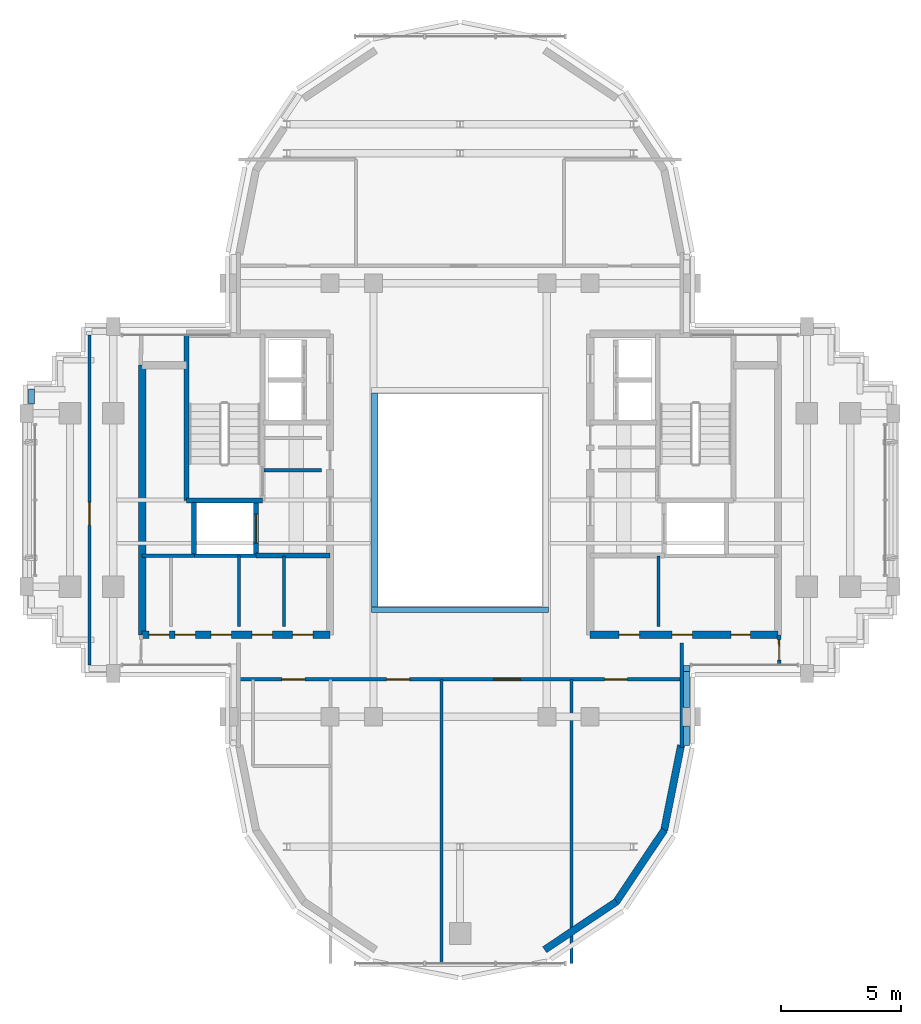
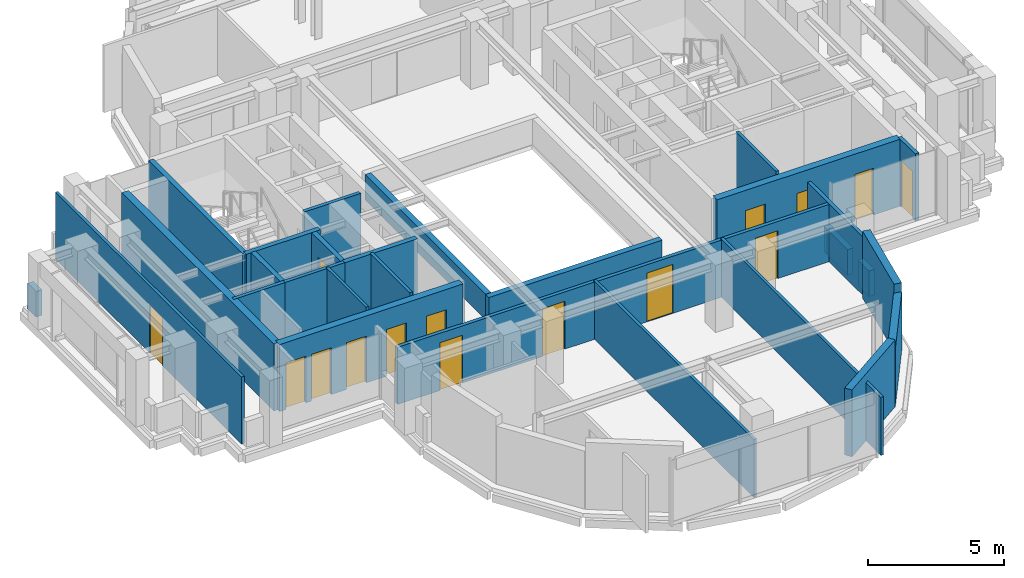
# One storey, part 8 of 12: 29 walls, 15 doors, 15 openings.
"""IFC4 building model written with IfcOpenShell, lengths in metres."""

import ifcopenshell
import ifcopenshell.guid

model = None  # the IFC model being written
_history = None  # IfcOwnerHistory: only IFC2X3 demands one
_inside = {}  # id of a spatial element -> (the spatial element, [elements in it])
_under = {}  # id of a project, library or spatial element -> (it, [spatial elements below it])
_declared = {}  # id of a project -> (the project, [libraries it declares])
_typed = {}  # id of a type object -> (the type object, [elements of that type])
_made_of = {}  # id of a material, layer set ... -> (it, [elements and type objects made of it])


def new_model(schema):
    """Start an empty IFC model of exactly this schema.

    Asked for "IFC4X3", IfcOpenShell would pick the latest addendum, in which some entities
    have other attributes; the version numbers below select the first issue.
    IFC2X3 requires an IfcOwnerHistory on every rooted entity: one is made here for all.
    """
    global model, _history
    if schema == "IFC4X3":
        model = ifcopenshell.file(schema_version=(4, 3, 0, 0))
    else:
        model = ifcopenshell.file(schema=schema)
    _inside.clear()
    _under.clear()
    _declared.clear()
    _typed.clear()
    _made_of.clear()
    _history = None
    if model.schema == "IFC2X3":
        org = make("IfcOrganization", Name="unknown")
        user = make(
            "IfcPersonAndOrganization",
            ThePerson=make("IfcPerson", FamilyName="unknown"),
            TheOrganization=org,
        )
        app = make(
            "IfcApplication",
            ApplicationDeveloper=org,
            Version="unknown",
            ApplicationFullName="unknown",
            ApplicationIdentifier="unknown",
        )
        _history = make(
            "IfcOwnerHistory",
            OwningUser=user,
            OwningApplication=app,
            ChangeAction="ADDED",
            CreationDate=0,
        )
    return model


def make(cls, **values):
    """One entity of the class cls with the attributes given. An attribute that is None is left unset."""
    return model.create_entity(
        cls, **{name: value for name, value in values.items() if value is not None}
    )


def rooted(cls, **values):
    """An entity with a GlobalId (a new one), such as an element, a storey or a relation."""
    return make(cls, GlobalId=ifcopenshell.guid.new(), OwnerHistory=_history, **values)


def si_unit(unit_type, name, prefix=None):
    """IfcSIUnit, for example si_unit("LENGTHUNIT", "METRE", prefix="MILLI")."""
    return make("IfcSIUnit", UnitType=unit_type, Prefix=prefix, Name=name)


def assignment(units):
    """IfcUnitAssignment: the units of a project."""
    return None if units is None else make("IfcUnitAssignment", Units=units)


def point(xyz):
    """IfcCartesianPoint."""
    return None if xyz is None else make("IfcCartesianPoint", Coordinates=xyz)


def direction(xyz):
    """IfcDirection."""
    return None if xyz is None else make("IfcDirection", DirectionRatios=xyz)


def frame(location, z_axis=None, x_axis=None):
    """IfcAxis2Placement3D, a coordinate frame: its origin and axes. An axis left out is left unset."""
    return make(
        "IfcAxis2Placement3D",
        Location=point(location),
        Axis=direction(z_axis),
        RefDirection=direction(x_axis),
    )


def frame_2d(location, x_axis=None):
    """IfcAxis2Placement2D, a coordinate frame in the plane: its origin and x axis."""
    return make(
        "IfcAxis2Placement2D", Location=point(location), RefDirection=direction(x_axis)
    )


def origin():
    """The frame at (0, 0, 0) with its axes left unset."""
    return frame((0.0, 0.0, 0.0))


def place(relative_to, where):
    """IfcLocalPlacement: puts the frame where relative to a parent placement (None: the world)."""
    return make(
        "IfcLocalPlacement", PlacementRelTo=relative_to, RelativePlacement=where
    )


def context(
    kind, dimensions, precision=None, world=None, true_north=None, identifier=None
):
    """IfcGeometricRepresentationContext, for example the 3D "Model" context."""
    return make(
        "IfcGeometricRepresentationContext",
        ContextIdentifier=identifier,
        ContextType=kind,
        CoordinateSpaceDimension=dimensions,
        Precision=precision,
        WorldCoordinateSystem=world,
        TrueNorth=true_north,
    )


def subcontext(parent, identifier, kind, view, scale=None):
    """IfcGeometricRepresentationSubContext, for example "Body" below "Model"."""
    return make(
        "IfcGeometricRepresentationSubContext",
        ContextIdentifier=identifier,
        ContextType=kind,
        ParentContext=parent,
        TargetScale=scale,
        TargetView=view,
    )


def project(units=None, contexts=None):
    """IfcProject with its units and contexts."""
    return rooted(
        "IfcProject",
        Name="project",
        RepresentationContexts=contexts,
        UnitsInContext=assignment(units),
    )


def spatial(cls, under=None, at=None, **own):
    """A site, building, storey or space (cls), placed at a placement, below another one or the project."""
    s = rooted(cls, ObjectPlacement=at, **own)
    if under is not None:
        _under.setdefault(under.id(), (under, []))[1].append(s)
    return s


def profile(cls, at=None, kind="AREA", **sizes):
    """A parametric profile (cls). Its sizes go by their IFC names, for example OverallWidth=200.0."""
    return make(cls, ProfileType=kind, Position=at, **sizes)


def rectangle(**sizes):
    """IfcRectangleProfileDef."""
    return profile("IfcRectangleProfileDef", **sizes)


def extrude(swept, where, along, depth):
    """IfcExtrudedAreaSolid: the profile swept, set in the frame where, extruded along a direction by depth."""
    return make(
        "IfcExtrudedAreaSolid",
        SweptArea=swept,
        Position=where,
        ExtrudedDirection=direction(along),
        Depth=depth,
    )


def shape(context_of_items, identifier, shape_type, items):
    """IfcShapeRepresentation: the items that make up one representation, for example the "Body"."""
    return make(
        "IfcShapeRepresentation",
        ContextOfItems=context_of_items,
        RepresentationIdentifier=identifier,
        RepresentationType=shape_type,
        Items=items,
    )


def source(mapping_origin, context_of_items, identifier, shape_type, items):
    """IfcRepresentationMap: a shape defined once, which mapped items show again and again."""
    return make(
        "IfcRepresentationMap",
        MappingOrigin=mapping_origin,
        MappedRepresentation=shape(context_of_items, identifier, shape_type, items),
    )


def transform(
    local_origin,
    x_axis=None,
    y_axis=None,
    z_axis=None,
    scale=None,
    scale2=None,
    scale3=None,
    uniform=True,
):
    """IfcCartesianTransformationOperator3D, or its non-uniform kind. x_axis, y_axis, z_axis: its Axis1, 2, 3."""
    if uniform:
        return make(
            "IfcCartesianTransformationOperator3D",
            Axis1=direction(x_axis),
            Axis2=direction(y_axis),
            LocalOrigin=point(local_origin),
            Scale=scale,
            Axis3=direction(z_axis),
        )
    return make(
        "IfcCartesianTransformationOperator3DnonUniform",
        Axis1=direction(x_axis),
        Axis2=direction(y_axis),
        LocalOrigin=point(local_origin),
        Scale=scale,
        Axis3=direction(z_axis),
        Scale2=scale2,
        Scale3=scale3,
    )


def mapped(mapping_source, mapping_target):
    """IfcMappedItem: shows the shape of a source again, moved by a transform."""
    return make(
        "IfcMappedItem", MappingSource=mapping_source, MappingTarget=mapping_target
    )


def material(Name=None, Category=None):
    """IfcMaterial."""
    return make("IfcMaterial", Name=Name, Category=Category)


def layer(
    of_material, thickness, ventilated=None, Name=None, Category=None, Priority=None
):
    """IfcMaterialLayer: one layer of a wall or slab, of a material (None: an air gap)."""
    return make(
        "IfcMaterialLayer",
        Material=of_material,
        LayerThickness=thickness,
        IsVentilated=ventilated,
        Name=Name,
        Category=Category,
        Priority=Priority,
    )


def layer_set(layers, Name=None):
    """IfcMaterialLayerSet."""
    return make("IfcMaterialLayerSet", MaterialLayers=layers, LayerSetName=Name)


def made_of(thing, what):
    """Note that an element or type object is made of a material, layer set ...; save() writes the relation."""
    if what is not None:
        _made_of.setdefault(what.id(), (what, []))[1].append(thing)
    return thing


def type_object(cls, material=None, **own):
    """A type object (cls), such as IfcWallType, which elements share."""
    return made_of(rooted(cls, **own), material)


def element(
    cls,
    number,
    at=None,
    inside=None,
    cuts=None,
    type_object=None,
    material=None,
    context=None,
    identifier="Body",
    shape_type=None,
    held_by="IfcProductDefinitionShape",
    body=None,
    shapes=None,
    **own,
):
    """One element of the class cls, such as IfcWall. Its Tag is "e" and its number.

    at: its placement. inside: the storey or other place that contains it. cuts: it is an
    opening in that element (IfcRelVoidsElement). A single representation is given by context,
    identifier, shape_type and body (its items); several are given by shapes. held_by: the class
    of the entity that holds the representations. save() writes the other relations.
    """
    e = rooted(cls, Tag="e%d" % number, ObjectPlacement=at, **own)
    if body is not None:
        shapes = [shape(context, identifier, shape_type, body)]
    if shapes is not None:
        e.Representation = make(held_by, Representations=shapes)
    if inside is not None:
        _inside.setdefault(inside.id(), (inside, []))[1].append(e)
    if cuts is not None:
        rooted(
            "IfcRelVoidsElement", RelatingBuildingElement=cuts, RelatedOpeningElement=e
        )
    if type_object is not None:
        _typed.setdefault(type_object.id(), (type_object, []))[1].append(e)
    return made_of(e, material)


def fill(opening, filler):
    """IfcRelFillsElement: the door or window that sits in an opening."""
    return rooted(
        "IfcRelFillsElement",
        RelatingOpeningElement=opening,
        RelatedBuildingElement=filler,
    )


def aggregate(whole, parts):
    """IfcRelAggregates: a whole, such as a stair, and the parts it consists of."""
    return rooted("IfcRelAggregates", RelatingObject=whole, RelatedObjects=parts)


def save(model, path):
    """Write the relations noted so far, then the file.

    IfcRelAggregates (storeys below a building ...), IfcRelContainedInSpatialStructure (elements
    in a storey), IfcRelDefinesByType, IfcRelAssociatesMaterial and IfcRelDeclares: one each for
    every whole, place, type object, material and project.
    """
    for whole, parts in _under.values():
        aggregate(whole, parts)
    for where, things in _inside.values():
        rooted(
            "IfcRelContainedInSpatialStructure",
            RelatedElements=things,
            RelatingStructure=where,
        )
    for kind, things in _typed.values():
        rooted("IfcRelDefinesByType", RelatedObjects=things, RelatingType=kind)
    for what, things in _made_of.values():
        rooted("IfcRelAssociatesMaterial", RelatedObjects=things, RelatingMaterial=what)
    for by, libraries in _declared.values():
        rooted("IfcRelDeclares", RelatingContext=by, RelatedDefinitions=libraries)
    model.write(path)


model = new_model("IFC4")

# Units and contexts
model_context = context("Model", 3, precision=1e-05, world=origin(), true_north=direction((0.0, 1.0)))
body_context = subcontext(model_context, "Body", "Model", "MODEL_VIEW")
ifc_project = project(units=[si_unit("LENGTHUNIT", "METRE"), si_unit("AREAUNIT", "SQUARE_METRE"), si_unit("VOLUMEUNIT", "CUBIC_METRE"), si_unit("PLANEANGLEUNIT", "RADIAN"), si_unit("MASSUNIT", "GRAM", prefix="KILO")], contexts=[model_context])

# Site, building, storey
site_placement = place(None, origin())
site = spatial("IfcSite", under=ifc_project, at=site_placement, CompositionType="ELEMENT")
building_placement = place(site_placement, origin())
building = spatial("IfcBuilding", under=site, at=building_placement, Name="Keilestroom Media Tower", CompositionType="ELEMENT")
storey_placement = place(building_placement, frame((0.0, 0.0, 226.800048828125)))
storey = spatial("IfcBuildingStorey", under=building, at=storey_placement, Name="L62", CompositionType="ELEMENT", Elevation=226.800048828125)

# Walls
ifc_material_1 = material(Name="Precast concrete C40/50", Category="concrete")
ifc_layer_1 = layer(ifc_material_1, 0.300048828125)
ifc_layer_set_1 = layer_set([ifc_layer_1], Name="Precast concrete C40/50")
wall_type_1 = type_object("IfcWallType", Name="Exterior-Masonry-Spandrel-Wall-300", PredefinedType="SOLIDWALL", material=ifc_layer_set_1)
wall_1_placement = place(storey_placement, frame((3.510009765625, -18.673583984375, 0.0), z_axis=(0.0, 0.0, 1.0), x_axis=(0.831443568068, 0.555609208993, 0.0)))
element("IfcWall", 1, at=wall_1_placement, inside=storey, type_object=wall_type_1, Name="L62 Lobe Facet Precast Frame Wall 10", PredefinedType="SOLIDWALL", context=body_context, shape_type="SweptSolid", body=[
    extrude(rectangle(XDim=3.593505859375, YDim=0.300048828125, at=frame_2d((1.796875, 0.0))), origin(), (0.0, 0.0, 1.0), 3.010009765625),
])
wall_2_placement = place(storey_placement, frame((6.47705078125, -16.697998046875, 0.0), z_axis=(0.0, 0.0, 1.0), x_axis=(0.555574187116, 0.831466970246, 0.0)))
element("IfcWall", 2, at=wall_2_placement, inside=storey, type_object=wall_type_1, Name="L62 Lobe Facet Precast Frame Wall 11", PredefinedType="SOLIDWALL", context=body_context, shape_type="SweptSolid", body=[
    extrude(rectangle(XDim=3.608642578125, YDim=0.300048828125, at=frame_2d((1.80419921875, 0.0))), origin(), (0.0, 0.0, 1.0), 2.60986328125),
])
wall_3_placement = place(storey_placement, frame((8.470703125, -13.724609375, 0.0), z_axis=(0.0, 0.0, 1.0), x_axis=(0.195114232679, 0.980780523974, 0.0)))
element("IfcWall", 3, at=wall_3_placement, inside=storey, type_object=wall_type_1, Name="L62 Lobe Facet Precast Frame Wall 12", PredefinedType="SOLIDWALL", context=body_context, shape_type="SweptSolid", body=[
    extrude(rectangle(XDim=3.608642578125, YDim=0.300048828125, at=frame_2d((1.80419921875, 0.0))), origin(), (0.0, 0.0, 1.0), 3.010009765625),
])
ifc_material_2 = material(Name="Gypsum Plasterboard & Steel Stud", Category="steel")
ifc_layer_2 = layer(ifc_material_2, 0.1201171875)
ifc_layer_set_2 = layer_set([ifc_layer_2], Name="Gypsum Plasterboard & Steel Stud")
wall_type_2 = type_object("IfcWallType", Name="Interior-Partition-Wall-120", PredefinedType="PARTITIONING", material=ifc_layer_set_2)
for number, where, z_axis, x_axis, name in (
    (4, (-9.179931640625, -5.260009765625, 0.0), (0.0, 0.0, 1.0), (0.0, 1.0, 0.0), "L62 Interior Wall WP-L62-RECMW-M1"),
    (5, (-7.320068359375, -5.260009765625, 0.0), (0.0, 0.0, 1.0), (0.0, 1.0, 0.0), "L62 Interior Wall WP-L62-RECMW-M2"),
    (6, (8.239990234375, -5.260009765625, 0.0), (0.0, 0.0, 1.0), (0.0, 1.0, 0.0), "L62 Interior Wall WP-L62-RECME-M"),
):
    element("IfcWall", number, at=place(storey_placement, frame(where, z_axis=z_axis, x_axis=x_axis)), inside=storey, type_object=wall_type_2, Name=name, PredefinedType="PARTITIONING", context=body_context, shape_type="SweptSolid", body=[
        extrude(rectangle(XDim=2.93994140625, YDim=0.1201171875, at=frame_2d((1.469970703125, 0.0))), origin(), (0.0, 0.0, 1.0), 3.010009765625),
    ])
for number, where, z_axis, x_axis, name in (
    (7, (-0.780029296875, -19.25, 0.0), (0.0, 0.0, 1.0), (0.0, 1.0, 0.0), "L62 Interior Wall WP-L62-SL-QV2"),
    (8, (4.6201171875, -19.25, 0.0), (0.0, 0.0, 1.0), (0.0, 1.0, 0.0), "L62 Interior Wall WP-L62-SL-QV3"),
):
    element("IfcWall", number, at=place(storey_placement, frame(where, z_axis=z_axis, x_axis=x_axis)), inside=storey, type_object=wall_type_2, Name=name, PredefinedType="PARTITIONING", context=body_context, shape_type="SweptSolid", body=[
        extrude(rectangle(XDim=11.800048828125, YDim=0.1201171875, at=frame_2d((5.89990234375, 0.0))), origin(), (0.0, 0.0, 1.0), 2.60986328125),
    ])

# Wall, opening, door
wall_4_placement = place(storey_placement, frame((-15.389892578125, -6.85009765625, 0.0), z_axis=(0.0, 0.0, 1.0), x_axis=(0.0, 1.0, 0.0)))
wall_4 = element("IfcWall", 9, at=wall_4_placement, inside=storey, type_object=wall_type_2, Name="L62 Interior Wall WP-L62-WA-V", PredefinedType="PARTITIONING", context=body_context, shape_type="SweptSolid", body=[
    extrude(rectangle(XDim=13.7001953125, YDim=0.1201171875, at=frame_2d((6.85009765625, 0.0))), origin(), (0.0, 0.0, 1.0), 3.010009765625),
])
opening_1_placement = place(wall_4_placement, frame((5.800048828125, 0.0, 0.0)))
opening_1 = element("IfcOpeningElement", 10, at=opening_1_placement, cuts=wall_4, Name="Opening DI-03", PredefinedType="OPENING", context=body_context, shape_type="SweptSolid", body=[
    extrude(rectangle(XDim=0.949951171875, YDim=2.14990234375, at=frame_2d((0.47509765625, 1.074951171875))), frame((0.0, 0.070068359375, 0.0), z_axis=(0.0, -1.0, 0.0), x_axis=(1.0, 0.0, 0.0)), (0.0, 0.0, 1.0), 0.14013671875),
])
ifc_material_3 = material(Name="Lacquered European Oak Leaf", Category="wood")
door_type_1 = type_object("IfcDoorType", Name="Interior-Room-And-Suite-Door-DI-03", OperationType="NOTDEFINED", PredefinedType="DOOR", material=ifc_material_3)
shared_shape_1 = source(origin(), body_context, "Body", "SweptSolid", [
    extrude(rectangle(XDim=0.949951171875, YDim=2.14990234375, at=frame_2d((0.47509765625, 1.074951171875))), frame((0.0, 0.02490234375, 0.0), z_axis=(0.0, -1.0, 0.0), x_axis=(1.0, 0.0, 0.0)), (0.0, 0.0, 1.0), 0.050048828125),
])
door_1_placement = place(opening_1_placement, origin())
door_1 = element("IfcDoor", 11, at=door_1_placement, inside=storey, type_object=door_type_1, Name="L62 Interior Door DI-L62-DWA-W", OperationType="SINGLE_SWING_RIGHT", OverallHeight=2.14990234375, OverallWidth=0.949951171875, PredefinedType="DOOR", context=body_context, shape_type="MappedRepresentation", body=[
    mapped(shared_shape_1, transform((0.0, 0.0, 0.0), x_axis=(1.0, 0.0, 0.0), y_axis=(0.0, 1.0, 0.0), z_axis=(0.0, 0.0, 1.0), scale=1.0)),
])
fill(opening_1, door_1)

# Walls
ifc_layer_3 = layer(ifc_material_2, 0.14990234375)
ifc_layer_set_3 = layer_set([ifc_layer_3], Name="Gypsum Plasterboard & Steel Stud")
wall_type_3 = type_object("IfcWallType", Name="Interior-Partition-Wall-150", PredefinedType="PARTITIONING", material=ifc_layer_set_3)
wall_5_placement = place(storey_placement, frame((-8.139892578125, 1.239990234375, 0.0), z_axis=(0.0, 0.0, 1.0), x_axis=(1.0, 0.0, 0.0)))
element("IfcWall", 12, at=wall_5_placement, inside=storey, type_object=wall_type_3, Name="L62 Interior Wall WP-L62-FFW-TOP", PredefinedType="PARTITIONING", context=body_context, shape_type="SweptSolid", body=[
    extrude(rectangle(XDim=2.389892578125, YDim=0.14990234375, at=frame_2d((1.19482421875, 0.0))), origin(), (0.0, 0.0, 1.0), 3.010009765625),
])
wall_6_placement = place(storey_placement, frame((-13.199951171875, -2.320068359375, 0.0), z_axis=(0.0, 0.0, 1.0), x_axis=(1.0, 0.0, 0.0)))
element("IfcWall", 13, at=wall_6_placement, inside=storey, type_object=wall_type_3, Name="L62 Interior Wall WP-L62-RECLW-N", PredefinedType="PARTITIONING", context=body_context, shape_type="SweptSolid", body=[
    extrude(rectangle(XDim=2.179931640625, YDim=0.14990234375, at=frame_2d((1.08984375, 0.0))), origin(), (0.0, 0.0, 1.0), 3.010009765625),
])
wall_7_placement = place(storey_placement, frame((-11.0400390625, -2.320068359375, 0.0), z_axis=(0.0, 0.0, 1.0), x_axis=(1.0, 0.0, 0.0)))
element("IfcWall", 14, at=wall_7_placement, inside=storey, type_object=wall_type_3, Name="L62 Interior Wall WP-L62-RECMW-N", PredefinedType="PARTITIONING", context=body_context, shape_type="SweptSolid", body=[
    extrude(rectangle(XDim=2.56005859375, YDim=0.14990234375, at=frame_2d((1.280029296875, 0.0))), origin(), (0.0, 0.0, 1.0), 3.010009765625),
])

# Wall, openings, doors
wall_8_placement = place(storey_placement, frame((-9.199951171875, -7.449951171875, 0.0), z_axis=(0.0, 0.0, 1.0), x_axis=(1.0, 0.0, 0.0)))
wall_8 = element("IfcWall", 15, at=wall_8_placement, inside=storey, type_object=wall_type_3, Name="L62 Interior Wall WP-L62-SL-BASE", PredefinedType="PARTITIONING", context=body_context, shape_type="SweptSolid", body=[
    extrude(rectangle(XDim=18.39990234375, YDim=0.14990234375, at=frame_2d((9.199951171875, 0.0))), origin(), (0.0, 0.0, 1.0), 2.570068359375),
])
opening_2_placement = place(wall_8_placement, frame((1.800048828125, 0.0, 0.0)))
opening_2 = element("IfcOpeningElement", 16, at=opening_2_placement, cuts=wall_8, Name="Opening DI-03", PredefinedType="OPENING", context=body_context, shape_type="SweptSolid", body=[
    extrude(rectangle(XDim=0.949951171875, YDim=2.14990234375, at=frame_2d((0.47509765625, 1.074951171875))), frame((0.0, 0.0849609375, 0.0), z_axis=(0.0, -1.0, 0.0), x_axis=(1.0, 0.0, 0.0)), (0.0, 0.0, 1.0), 0.169921875),
])
opening_3_placement = place(wall_8_placement, frame((6.14990234375, 0.0, 0.0)))
opening_3 = element("IfcOpeningElement", 17, at=opening_3_placement, cuts=wall_8, Name="Opening DI-03", PredefinedType="OPENING", context=body_context, shape_type="SweptSolid", body=[
    extrude(rectangle(XDim=0.949951171875, YDim=2.14990234375, at=frame_2d((0.47509765625, 1.074951171875))), frame((0.0, 0.0849609375, 0.0), z_axis=(0.0, -1.0, 0.0), x_axis=(1.0, 0.0, 0.0)), (0.0, 0.0, 1.0), 0.169921875),
])
opening_4_placement = place(wall_8_placement, frame((10.60009765625, 0.0, 0.0)))
opening_4 = element("IfcOpeningElement", 18, at=opening_4_placement, cuts=wall_8, Name="Opening DI-04", PredefinedType="OPENING", context=body_context, shape_type="SweptSolid", body=[
    extrude(rectangle(XDim=1.10009765625, YDim=2.199951171875, at=frame_2d((0.550048828125, 1.10009765625))), frame((0.0, 0.0849609375, 0.0), z_axis=(0.0, -1.0, 0.0), x_axis=(1.0, 0.0, 0.0)), (0.0, 0.0, 1.0), 0.169921875),
])
opening_5_placement = place(wall_8_placement, frame((15.199951171875, 0.0, 0.0)))
opening_5 = element("IfcOpeningElement", 19, at=opening_5_placement, cuts=wall_8, Name="Opening DI-03", PredefinedType="OPENING", context=body_context, shape_type="SweptSolid", body=[
    extrude(rectangle(XDim=0.949951171875, YDim=2.14990234375, at=frame_2d((0.47509765625, 1.074951171875))), frame((0.0, 0.0849609375, 0.0), z_axis=(0.0, -1.0, 0.0), x_axis=(1.0, 0.0, 0.0)), (0.0, 0.0, 1.0), 0.169921875),
])
door_2_placement = place(opening_2_placement, origin())
door_2 = element("IfcDoor", 20, at=door_2_placement, inside=storey, type_object=door_type_1, Name="L62 Interior Door DI-L62-DSL-WC3", OperationType="SINGLE_SWING_RIGHT", OverallHeight=2.14990234375, OverallWidth=0.949951171875, PredefinedType="DOOR", context=body_context, shape_type="MappedRepresentation", body=[
    mapped(shared_shape_1, transform((0.0, 0.0, 0.0), x_axis=(1.0, 0.0, 0.0), y_axis=(0.0, 1.0, 0.0), z_axis=(0.0, 0.0, 1.0), scale=1.0)),
])
fill(opening_2, door_2)
door_3_placement = place(opening_3_placement, origin())
door_3 = element("IfcDoor", 21, at=door_3_placement, inside=storey, type_object=door_type_1, Name="L62 Interior Door DI-L62-DSL-Q2", OperationType="SINGLE_SWING_RIGHT", OverallHeight=2.14990234375, OverallWidth=0.949951171875, PredefinedType="DOOR", context=body_context, shape_type="MappedRepresentation", body=[
    mapped(shared_shape_1, transform((0.0, 0.0, 0.0), x_axis=(1.0, 0.0, 0.0), y_axis=(0.0, 1.0, 0.0), z_axis=(0.0, 0.0, 1.0), scale=1.0)),
])
fill(opening_3, door_3)
door_4_placement = place(opening_5_placement, origin())
door_4 = element("IfcDoor", 22, at=door_4_placement, inside=storey, type_object=door_type_1, Name="L62 Interior Door DI-L62-DSL-Q4", OperationType="SINGLE_SWING_RIGHT", OverallHeight=2.14990234375, OverallWidth=0.949951171875, PredefinedType="DOOR", context=body_context, shape_type="MappedRepresentation", body=[
    mapped(shared_shape_1, transform((0.0, 0.0, 0.0), x_axis=(1.0, 0.0, 0.0), y_axis=(0.0, 1.0, 0.0), z_axis=(0.0, 0.0, 1.0), scale=1.0)),
])
fill(opening_5, door_4)
ifc_material_4 = material(Name="Acoustic Glazed Aluminium Leaf", Category="aluminium")
door_type_2 = type_object("IfcDoorType", Name="Interior-Room-And-Suite-Door-DI-04", OperationType="NOTDEFINED", PredefinedType="DOOR", material=ifc_material_4)
shared_shape_2 = source(origin(), body_context, "Body", "SweptSolid", [
    extrude(rectangle(XDim=1.10009765625, YDim=2.199951171875, at=frame_2d((0.550048828125, 1.10009765625))), frame((0.0, 0.02490234375, 0.0), z_axis=(0.0, -1.0, 0.0), x_axis=(1.0, 0.0, 0.0)), (0.0, 0.0, 1.0), 0.050048828125),
])
door_5_placement = place(opening_4_placement, origin())
door_5 = element("IfcDoor", 23, at=door_5_placement, inside=storey, type_object=door_type_2, Name="L62 Interior Door DI-L62-DSL-Q3", OperationType="SINGLE_SWING_LEFT", OverallHeight=2.199951171875, OverallWidth=1.10009765625, PredefinedType="DOOR", context=body_context, shape_type="MappedRepresentation", body=[
    mapped(shared_shape_2, transform((0.0, 0.0, 0.0), x_axis=(1.0, 0.0, 0.0), y_axis=(0.0, 1.0, 0.0), z_axis=(0.0, 0.0, 1.0), scale=1.0)),
])
fill(opening_4, door_5)

# Wall
wall_9_placement = place(storey_placement, frame((9.199951171875, -10.280029296875, 0.0), z_axis=(0.0, 0.0, 1.0), x_axis=(0.0, 1.0, 0.0)))
element("IfcWall", 24, at=wall_9_placement, inside=storey, type_object=wall_type_3, Name="L62 Interior Wall WP-L62-SL-CHKE", PredefinedType="PARTITIONING", context=body_context, shape_type="SweptSolid", body=[
    extrude(rectangle(XDim=4.340087890625, YDim=0.14990234375, at=frame_2d((2.169921875, 0.0))), origin(), (0.0, 0.0, 1.0), 2.60986328125),
])

# Wall, opening, door
wall_10_placement = place(storey_placement, frame((13.260009765625, -6.85009765625, 0.0), z_axis=(0.0, 0.0, 1.0), x_axis=(-0.016013571389, 0.999871774545, 0.0)))
wall_10 = element("IfcWall", 25, at=wall_10_placement, inside=storey, type_object=wall_type_3, Name="L62 Interior Wall WP-L62-EA-ENTS", PredefinedType="PARTITIONING", context=body_context, shape_type="SweptSolid", body=[
    extrude(rectangle(XDim=1.250244140625, YDim=0.14990234375, at=frame_2d((0.625, 0.0))), origin(), (0.0, 0.0, 1.0), 3.010009765625),
])
opening_6_placement = place(wall_10_placement, frame((0.199951171875, 0.0, 0.0)))
opening_6 = element("IfcOpeningElement", 26, at=opening_6_placement, cuts=wall_10, Name="Opening DI-05", PredefinedType="OPENING", context=body_context, shape_type="SweptSolid", body=[
    extrude(rectangle(XDim=0.85009765625, YDim=2.10009765625, at=frame_2d((0.425048828125, 1.050048828125))), frame((0.0, 0.0849609375, 0.0), z_axis=(0.0, -1.0, 0.0), x_axis=(1.0, 0.0, 0.0)), (0.0, 0.0, 1.0), 0.169921875),
])
ifc_material_5 = material(Name="Moisture-Resistant Oak Leaf", Category="wood")
door_type_3 = type_object("IfcDoorType", Name="Interior-En-Suite-And-Cupboard-Door-DI-05", OperationType="NOTDEFINED", PredefinedType="DOOR", material=ifc_material_5)
shared_shape_3 = source(origin(), body_context, "Body", "SweptSolid", [
    extrude(rectangle(XDim=0.85009765625, YDim=2.10009765625, at=frame_2d((0.425048828125, 1.050048828125))), frame((0.0, 0.02490234375, 0.0), z_axis=(0.0, -1.0, 0.0), x_axis=(1.0, 0.0, 0.0)), (0.0, 0.0, 1.0), 0.050048828125),
])
door_6_placement = place(opening_6_placement, origin())
door_6 = element("IfcDoor", 27, at=door_6_placement, inside=storey, type_object=door_type_3, Name="L62 Interior Door DI-L62-DEA-S", OperationType="SINGLE_SWING_LEFT", OverallHeight=2.10009765625, OverallWidth=0.85009765625, PredefinedType="DOOR", context=body_context, shape_type="MappedRepresentation", body=[
    mapped(shared_shape_3, transform((0.0, 0.0, 0.0), x_axis=(1.0, 0.0, 0.0), y_axis=(0.0, 1.0, 0.0), z_axis=(0.0, 0.0, 1.0), scale=1.0)),
])
fill(opening_6, door_6)

# Wall
ifc_material_6 = material(Name="Concrete C50/60", Category="concrete")
ifc_layer_4 = layer(ifc_material_6, 0.300048828125)
ifc_layer_set_4 = layer_set([ifc_layer_4], Name="Concrete C50/60")
wall_type_4 = type_object("IfcWallType", Name="Reinforced-Concrete-Core-Shear-Wall-300", PredefinedType="SHEAR", material=ifc_layer_set_4)
wall_11_placement = place(storey_placement, frame((-13.199951171875, -5.60009765625, 0.0), z_axis=(0.0, 0.0, 1.0), x_axis=(0.0, 1.0, 0.0)))
element("IfcWall", 28, at=wall_11_placement, inside=storey, type_object=wall_type_4, Name="L62 Core Shear Wall WL-L62-CORE-W-OUT", PredefinedType="SHEAR", context=body_context, shape_type="SweptSolid", body=[
    extrude(rectangle(XDim=11.2001953125, YDim=0.300048828125, at=frame_2d((5.60009765625, 0.0))), origin(), (0.0, 0.0, 1.0), 3.010009765625),
])

# Wall, openings, doors
wall_12_placement = place(storey_placement, frame((-13.199951171875, -5.60009765625, 0.0), z_axis=(0.0, 0.0, 1.0), x_axis=(1.0, 0.0, 0.0)))
wall_12 = element("IfcWall", 29, at=wall_12_placement, inside=storey, type_object=wall_type_4, Name="L62 Core Shear Wall WL-L62-CORE-W-S", PredefinedType="SHEAR", context=body_context, shape_type="SweptSolid", body=[
    extrude(rectangle(XDim=7.800048828125, YDim=0.300048828125, at=frame_2d((3.89990234375, 0.0))), origin(), (0.0, 0.0, 1.0), 3.010009765625),
])
opening_7_placement = place(wall_12_placement, frame((0.280029296875, 0.0, 0.0)))
opening_7 = element("IfcOpeningElement", 30, at=opening_7_placement, cuts=wall_12, Name="Opening DI-05", PredefinedType="OPENING", context=body_context, shape_type="SweptSolid", body=[
    extrude(rectangle(XDim=0.85009765625, YDim=2.10009765625, at=frame_2d((0.425048828125, 1.050048828125))), frame((0.0, 0.16015625, 0.0), z_axis=(0.0, -1.0, 0.0), x_axis=(1.0, 0.0, 0.0)), (0.0, 0.0, 1.0), 0.320068359375),
])
opening_8_placement = place(wall_12_placement, frame((1.360107421875, 0.0, 0.0)))
opening_8 = element("IfcOpeningElement", 31, at=opening_8_placement, cuts=wall_12, Name="Opening DI-05", PredefinedType="OPENING", context=body_context, shape_type="SweptSolid", body=[
    extrude(rectangle(XDim=0.85009765625, YDim=2.10009765625, at=frame_2d((0.425048828125, 1.050048828125))), frame((0.0, 0.16015625, 0.0), z_axis=(0.0, -1.0, 0.0), x_axis=(1.0, 0.0, 0.0)), (0.0, 0.0, 1.0), 0.320068359375),
])
opening_9_placement = place(wall_12_placement, frame((2.85009765625, 0.0, 0.0)))
opening_9 = element("IfcOpeningElement", 32, at=opening_9_placement, cuts=wall_12, Name="Opening DI-05", PredefinedType="OPENING", context=body_context, shape_type="SweptSolid", body=[
    extrude(rectangle(XDim=0.85009765625, YDim=2.10009765625, at=frame_2d((0.425048828125, 1.050048828125))), frame((0.0, 0.16015625, 0.0), z_axis=(0.0, -1.0, 0.0), x_axis=(1.0, 0.0, 0.0)), (0.0, 0.0, 1.0), 0.320068359375),
])
opening_10_placement = place(wall_12_placement, frame((4.550048828125, 0.0, 0.0)))
opening_10 = element("IfcOpeningElement", 33, at=opening_10_placement, cuts=wall_12, Name="Opening DI-05", PredefinedType="OPENING", context=body_context, shape_type="SweptSolid", body=[
    extrude(rectangle(XDim=0.85009765625, YDim=2.10009765625, at=frame_2d((0.425048828125, 1.050048828125))), frame((0.0, 0.16015625, 0.0), z_axis=(0.0, -1.0, 0.0), x_axis=(1.0, 0.0, 0.0)), (0.0, 0.0, 1.0), 0.320068359375),
])
opening_11_placement = place(wall_12_placement, frame((6.25, 0.0, 0.0)))
opening_11 = element("IfcOpeningElement", 34, at=opening_11_placement, cuts=wall_12, Name="Opening DI-05", PredefinedType="OPENING", context=body_context, shape_type="SweptSolid", body=[
    extrude(rectangle(XDim=0.85009765625, YDim=2.10009765625, at=frame_2d((0.425048828125, 1.050048828125))), frame((0.0, 0.16015625, 0.0), z_axis=(0.0, -1.0, 0.0), x_axis=(1.0, 0.0, 0.0)), (0.0, 0.0, 1.0), 0.320068359375),
])
door_7_placement = place(opening_7_placement, origin())
door_7 = element("IfcDoor", 35, at=door_7_placement, inside=storey, type_object=door_type_3, Name="L62 Reclaimed West Closet 1 Door", OperationType="SINGLE_SWING_LEFT", OverallHeight=2.10009765625, OverallWidth=0.85009765625, PredefinedType="DOOR", context=body_context, shape_type="MappedRepresentation", body=[
    mapped(shared_shape_3, transform((0.0, 0.0, 0.0), x_axis=(1.0, 0.0, 0.0), y_axis=(0.0, 1.0, 0.0), z_axis=(0.0, 0.0, 1.0), scale=1.0)),
])
fill(opening_7, door_7)
door_8_placement = place(opening_8_placement, origin())
door_8 = element("IfcDoor", 36, at=door_8_placement, inside=storey, type_object=door_type_3, Name="L62 Reclaimed West Closet 2 Door", OperationType="SINGLE_SWING_RIGHT", OverallHeight=2.10009765625, OverallWidth=0.85009765625, PredefinedType="DOOR", context=body_context, shape_type="MappedRepresentation", body=[
    mapped(shared_shape_3, transform((0.0, 0.0, 0.0), x_axis=(1.0, 0.0, 0.0), y_axis=(0.0, 1.0, 0.0), z_axis=(0.0, 0.0, 1.0), scale=1.0)),
])
fill(opening_8, door_8)
door_9_placement = place(opening_9_placement, origin())
door_9 = element("IfcDoor", 37, at=door_9_placement, inside=storey, type_object=door_type_3, Name="L62 Reclaimed Mid West Room 1 Door", OperationType="SINGLE_SWING_LEFT", OverallHeight=2.10009765625, OverallWidth=0.85009765625, PredefinedType="DOOR", context=body_context, shape_type="MappedRepresentation", body=[
    mapped(shared_shape_3, transform((0.0, 0.0, 0.0), x_axis=(1.0, 0.0, 0.0), y_axis=(0.0, 1.0, 0.0), z_axis=(0.0, 0.0, 1.0), scale=1.0)),
])
fill(opening_9, door_9)
door_10_placement = place(opening_10_placement, origin())
door_10 = element("IfcDoor", 38, at=door_10_placement, inside=storey, type_object=door_type_3, Name="L62 Reclaimed Mid West Room 2 Door", OperationType="SINGLE_SWING_LEFT", OverallHeight=2.10009765625, OverallWidth=0.85009765625, PredefinedType="DOOR", context=body_context, shape_type="MappedRepresentation", body=[
    mapped(shared_shape_3, transform((0.0, 0.0, 0.0), x_axis=(1.0, 0.0, 0.0), y_axis=(0.0, 1.0, 0.0), z_axis=(0.0, 0.0, 1.0), scale=1.0)),
])
fill(opening_10, door_10)
door_11_placement = place(opening_11_placement, origin())
door_11 = element("IfcDoor", 39, at=door_11_placement, inside=storey, type_object=door_type_3, Name="L62 Reclaimed Mid West Room 3 Door", OperationType="SINGLE_SWING_RIGHT", OverallHeight=2.10009765625, OverallWidth=0.85009765625, PredefinedType="DOOR", context=body_context, shape_type="MappedRepresentation", body=[
    mapped(shared_shape_3, transform((0.0, 0.0, 0.0), x_axis=(1.0, 0.0, 0.0), y_axis=(0.0, 1.0, 0.0), z_axis=(0.0, 0.0, 1.0), scale=1.0)),
])
fill(opening_11, door_11)

wall_13_placement = place(storey_placement, frame((5.39990234375, -5.60009765625, 0.0), z_axis=(0.0, 0.0, 1.0), x_axis=(1.0, 0.0, 0.0)))
wall_13 = element("IfcWall", 40, at=wall_13_placement, inside=storey, type_object=wall_type_4, Name="L62 Core Shear Wall WL-L62-CORE-E-S", PredefinedType="SHEAR", context=body_context, shape_type="SweptSolid", body=[
    extrude(rectangle(XDim=7.800048828125, YDim=0.300048828125, at=frame_2d((3.89990234375, 0.0))), origin(), (0.0, 0.0, 1.0), 3.010009765625),
])
opening_12_placement = place(wall_13_placement, frame((5.85009765625, 0.0, 0.0)))
opening_12 = element("IfcOpeningElement", 41, at=opening_12_placement, cuts=wall_13, Name="Opening DI-06", PredefinedType="OPENING", context=body_context, shape_type="SweptSolid", body=[
    extrude(rectangle(XDim=0.800048828125, YDim=2.10009765625, at=frame_2d((0.39990234375, 1.050048828125))), frame((0.0, 0.16015625, 0.0), z_axis=(0.0, -1.0, 0.0), x_axis=(1.0, 0.0, 0.0)), (0.0, 0.0, 1.0), 0.320068359375),
])
opening_13_placement = place(wall_13_placement, frame((1.199951171875, 0.0, 0.0)))
opening_13 = element("IfcOpeningElement", 42, at=opening_13_placement, cuts=wall_13, Name="Opening DI-05", PredefinedType="OPENING", context=body_context, shape_type="SweptSolid", body=[
    extrude(rectangle(XDim=0.85009765625, YDim=2.10009765625, at=frame_2d((0.425048828125, 1.050048828125))), frame((0.0, 0.16015625, 0.0), z_axis=(0.0, -1.0, 0.0), x_axis=(1.0, 0.0, 0.0)), (0.0, 0.0, 1.0), 0.320068359375),
])
opening_14_placement = place(wall_13_placement, frame((3.39990234375, 0.0, 0.0)))
opening_14 = element("IfcOpeningElement", 43, at=opening_14_placement, cuts=wall_13, Name="Opening DI-05", PredefinedType="OPENING", context=body_context, shape_type="SweptSolid", body=[
    extrude(rectangle(XDim=0.85009765625, YDim=2.10009765625, at=frame_2d((0.425048828125, 1.050048828125))), frame((0.0, 0.16015625, 0.0), z_axis=(0.0, -1.0, 0.0), x_axis=(1.0, 0.0, 0.0)), (0.0, 0.0, 1.0), 0.320068359375),
])
ifc_material_7 = material(Name="Powder-Coated Steel Service Leaf", Category="steel")
door_type_4 = type_object("IfcDoorType", Name="Interior-Riser-Access-Door-DI-06", OperationType="NOTDEFINED", PredefinedType="DOOR", material=ifc_material_7)
shared_shape_4 = source(origin(), body_context, "Body", "SweptSolid", [
    extrude(rectangle(XDim=0.800048828125, YDim=2.10009765625, at=frame_2d((0.39990234375, 1.050048828125))), frame((0.0, 0.02490234375, 0.0), z_axis=(0.0, -1.0, 0.0), x_axis=(1.0, 0.0, 0.0)), (0.0, 0.0, 1.0), 0.050048828125),
])
door_12_placement = place(opening_12_placement, origin())
door_12 = element("IfcDoor", 44, at=door_12_placement, inside=storey, type_object=door_type_4, Name="L62 Reclaimed East Core Room Door", OperationType="SINGLE_SWING_RIGHT", OverallHeight=2.10009765625, OverallWidth=0.800048828125, PredefinedType="DOOR", context=body_context, shape_type="MappedRepresentation", body=[
    mapped(shared_shape_4, transform((0.0, 0.0, 0.0), x_axis=(1.0, 0.0, 0.0), y_axis=(0.0, 1.0, 0.0), z_axis=(0.0, 0.0, 1.0), scale=1.0)),
])
fill(opening_12, door_12)
door_13_placement = place(opening_13_placement, origin())
door_13 = element("IfcDoor", 45, at=door_13_placement, inside=storey, type_object=door_type_3, Name="L62 Reclaimed Mid East Room 1 Door", OperationType="SINGLE_SWING_RIGHT", OverallHeight=2.10009765625, OverallWidth=0.85009765625, PredefinedType="DOOR", context=body_context, shape_type="MappedRepresentation", body=[
    mapped(shared_shape_3, transform((0.0, 0.0, 0.0), x_axis=(1.0, 0.0, 0.0), y_axis=(0.0, 1.0, 0.0), z_axis=(0.0, 0.0, 1.0), scale=1.0)),
])
fill(opening_13, door_13)
door_14_placement = place(opening_14_placement, origin())
door_14 = element("IfcDoor", 46, at=door_14_placement, inside=storey, type_object=door_type_3, Name="L62 Reclaimed Mid East Room 2 Door", OperationType="SINGLE_SWING_RIGHT", OverallHeight=2.10009765625, OverallWidth=0.85009765625, PredefinedType="DOOR", context=body_context, shape_type="MappedRepresentation", body=[
    mapped(shared_shape_3, transform((0.0, 0.0, 0.0), x_axis=(1.0, 0.0, 0.0), y_axis=(0.0, 1.0, 0.0), z_axis=(0.0, 0.0, 1.0), scale=1.0)),
])
fill(opening_14, door_14)

# Walls
ifc_layer_5 = layer(ifc_material_6, 0.199951171875)
ifc_layer_set_5 = layer_set([ifc_layer_5], Name="Concrete C50/60")
wall_type_5 = type_object("IfcWallType", Name="Reinforced-Concrete-Shaft-Wall-200", PredefinedType="SOLIDWALL", material=ifc_layer_set_5)
wall_14_placement = place(storey_placement, frame((-8.47998046875, -2.300048828125, 0.0), z_axis=(0.0, 0.0, 1.0), x_axis=(1.0, 0.0, 0.0)))
element("IfcWall", 47, at=wall_14_placement, inside=storey, type_object=wall_type_5, Name="L62 Core Shear Wall WL-L62-CORE-W-FFS", PredefinedType="SOLIDWALL", context=body_context, shape_type="SweptSolid", body=[
    extrude(rectangle(XDim=3.080078125, YDim=0.199951171875, at=frame_2d((1.5400390625, 0.0))), origin(), (0.0, 0.0, 1.0), 3.010009765625),
])
wall_15_placement = place(storey_placement, frame((-11.35595703125, -0.01611328125, 0.0), z_axis=(0.0, 0.0, 1.0), x_axis=(0.0, 1.0, 0.0)))
element("IfcWall", 48, at=wall_15_placement, inside=storey, type_object=wall_type_5, Name="L62 Core Shear Wall WL-L62-STW-W-FAR", PredefinedType="SOLIDWALL", context=body_context, shape_type="SweptSolid", body=[
    extrude(rectangle(XDim=6.916015625, YDim=0.199951171875, at=frame_2d((3.4580078125, 0.0))), origin(), (0.0, 0.0, 1.0), 3.010009765625),
])
wall_16_placement = place(storey_placement, frame((-11.35595703125, -0.01611328125, 0.0), z_axis=(0.0, 0.0, 1.0), x_axis=(1.0, 0.0, 0.0)))
element("IfcWall", 49, at=wall_16_placement, inside=storey, type_object=wall_type_5, Name="L62 Core Shear Wall WL-L62-STW-W-S", PredefinedType="SOLIDWALL", context=body_context, shape_type="SweptSolid", body=[
    extrude(rectangle(XDim=3.15185546875, YDim=0.199951171875, at=frame_2d((1.575927734375, 0.0))), origin(), (0.0, 0.0, 1.0), 3.010009765625),
])
wall_17_placement = place(storey_placement, frame((-11.050048828125, -2.280029296875, 0.0), z_axis=(0.0, 0.0, 1.0), x_axis=(0.0, 1.0, 0.0)))
element("IfcWall", 50, at=wall_17_placement, inside=storey, type_object=wall_type_5, Name="L62 Core Shear Wall WL-L62-LSH-FFL-1-W", PredefinedType="SOLIDWALL", context=body_context, shape_type="SweptSolid", body=[
    extrude(rectangle(XDim=2.179931640625, YDim=0.199951171875, at=frame_2d((1.08984375, 0.0))), origin(), (0.0, 0.0, 1.0), 3.010009765625),
])

# Wall, opening, door
wall_18_placement = place(storey_placement, frame((-8.47998046875, -2.280029296875, 0.0), z_axis=(0.0, 0.0, 1.0), x_axis=(0.0, 1.0, 0.0)))
wall_18 = element("IfcWall", 51, at=wall_18_placement, inside=storey, type_object=wall_type_5, Name="L62 Core Shear Wall WL-L62-LSH-FFL-1-E", PredefinedType="SOLIDWALL", context=body_context, shape_type="SweptSolid", body=[
    extrude(rectangle(XDim=2.179931640625, YDim=0.199951171875, at=frame_2d((1.08984375, 0.0))), origin(), (0.0, 0.0, 1.0), 3.010009765625),
])
opening_15_placement = place(wall_18_placement, frame((0.489990234375, 0.0, 0.0)))
opening_15 = element("IfcOpeningElement", 52, at=opening_15_placement, cuts=wall_18, Name="Opening LD-02", PredefinedType="OPENING", context=body_context, shape_type="SweptSolid", body=[
    extrude(rectangle(XDim=1.199951171875, YDim=2.199951171875, at=frame_2d((0.60009765625, 1.10009765625))), frame((0.0, 0.10986328125, 0.0), z_axis=(0.0, -1.0, 0.0), x_axis=(1.0, 0.0, 0.0)), (0.0, 0.0, 1.0), 0.219970703125),
])
ifc_material_8 = material(Name="Brushed Stainless Steel Sliding Leaf", Category="steel")
door_type_5 = type_object("IfcDoorType", Name="Lift-Landing-Sliding-Door-LD-02", OperationType="SLIDING_TO_RIGHT", PredefinedType="DOOR", material=ifc_material_8)
shared_shape_5 = source(origin(), body_context, "Body", "SweptSolid", [
    extrude(rectangle(XDim=1.199951171875, YDim=2.199951171875, at=frame_2d((0.60009765625, 1.10009765625))), frame((0.0, 0.02490234375, 0.0), z_axis=(0.0, -1.0, 0.0), x_axis=(1.0, 0.0, 0.0)), (0.0, 0.0, 1.0), 0.050048828125),
])
door_15_placement = place(opening_15_placement, origin())
door_15 = element("IfcDoor", 53, at=door_15_placement, inside=storey, type_object=door_type_5, Name="L62 Lift FFL-1 Landing Sliding Door", OperationType="SLIDING_TO_RIGHT", OverallHeight=2.199951171875, OverallWidth=1.199951171875, PredefinedType="DOOR", context=body_context, shape_type="MappedRepresentation", body=[
    mapped(shared_shape_5, transform((0.0, 0.0, 0.0), x_axis=(1.0, 0.0, 0.0), y_axis=(0.0, 1.0, 0.0), z_axis=(0.0, 0.0, 1.0), scale=1.0)),
])
fill(opening_15, door_15)

# Walls
ifc_layer_6 = layer(ifc_material_1, 0.239990234375)
ifc_layer_set_6 = layer_set([ifc_layer_6], Name="Precast concrete C40/50")
wall_type_6 = type_object("IfcWallType", Name="Roof-And-Terrace-Parapet-Wall-240", PredefinedType="PARAPET", material=ifc_layer_set_6)
wall_19_placement = place(storey_placement, frame((9.547119140625, -7.0, 0.0), z_axis=(0.0, 0.0, 1.0), x_axis=(-1.0, 0.0, 0.0)))
element("IfcWall", 54, at=wall_19_placement, inside=storey, type_object=wall_type_6, Name="L62 Perimeter Edge Parapet Wall 06", PredefinedType="PARAPET", context=body_context, shape_type="SweptSolid", body=[
    extrude(rectangle(XDim=0.26904296875, YDim=0.239990234375, at=frame_2d((0.134521484375, 0.0))), origin(), (0.0, 0.0, 1.0), 1.14990234375),
])
wall_20_placement = place(storey_placement, frame((9.39990234375, -7.123046875, 0.0), z_axis=(0.0, 0.0, 1.0), x_axis=(0.0, -1.0, 0.0)))
element("IfcWall", 55, at=wall_20_placement, inside=storey, type_object=wall_type_6, Name="L62 Perimeter Edge Parapet Wall 07", PredefinedType="PARAPET", context=body_context, shape_type="SweptSolid", body=[
    extrude(rectangle(XDim=1.4990234375, YDim=0.239990234375, at=frame_2d((0.74951171875, 0.0))), origin(), (0.0, 0.0, 1.0), 1.14990234375),
])
wall_21_placement = place(storey_placement, frame((9.39990234375, -9.3779296875, 0.0), z_axis=(0.0, 0.0, 1.0), x_axis=(0.0, -1.0, 0.0)))
element("IfcWall", 56, at=wall_21_placement, inside=storey, type_object=wall_type_6, Name="L62 Perimeter Edge Parapet Wall 08", PredefinedType="PARAPET", context=body_context, shape_type="SweptSolid", body=[
    extrude(rectangle(XDim=0.824951171875, YDim=0.239990234375, at=frame_2d((0.41259765625, 0.0))), origin(), (0.0, 0.0, 1.0), 1.14990234375),
])
wall_22_placement = place(storey_placement, frame((-17.800048828125, 3.97802734375, 0.0), z_axis=(0.0, 0.0, 1.0), x_axis=(0.0, 1.0, 0.0)))
element("IfcWall", 57, at=wall_22_placement, inside=storey, type_object=wall_type_6, Name="L62 Perimeter Edge Parapet Wall 18", PredefinedType="PARAPET", context=body_context, shape_type="SweptSolid", body=[
    extrude(rectangle(XDim=0.6220703125, YDim=0.239990234375, at=frame_2d((0.31103515625, 0.0))), origin(), (0.0, 0.0, 1.0), 1.14990234375),
])
wall_23_placement = place(storey_placement, frame((-3.679931640625, -4.56005859375, 0.0), z_axis=(0.0, 0.0, 1.0), x_axis=(1.0, 0.0, 0.0)))
element("IfcWall", 58, at=wall_23_placement, inside=storey, type_object=wall_type_6, Name="L62 Central Atrium Guard Parapet S", PredefinedType="PARAPET", context=body_context, shape_type="SweptSolid", body=[
    extrude(rectangle(XDim=7.35986328125, YDim=0.239990234375, at=frame_2d((3.679931640625, 0.0))), origin(), (0.0, 0.0, 1.0), 1.14990234375),
])
wall_24_placement = place(storey_placement, frame((-3.56005859375, -4.43505859375, 0.0), z_axis=(0.0, 0.0, 1.0), x_axis=(0.0, 1.0, 0.0)))
element("IfcWall", 59, at=wall_24_placement, inside=storey, type_object=wall_type_6, Name="L62 Central Atrium Guard Parapet W", PredefinedType="PARAPET", context=body_context, shape_type="SweptSolid", body=[
    extrude(rectangle(XDim=8.8701171875, YDim=0.239990234375, at=frame_2d((4.43505859375, 0.0))), origin(), (0.0, 0.0, 1.0), 1.14990234375),
])

save(model, "model.ifc")
